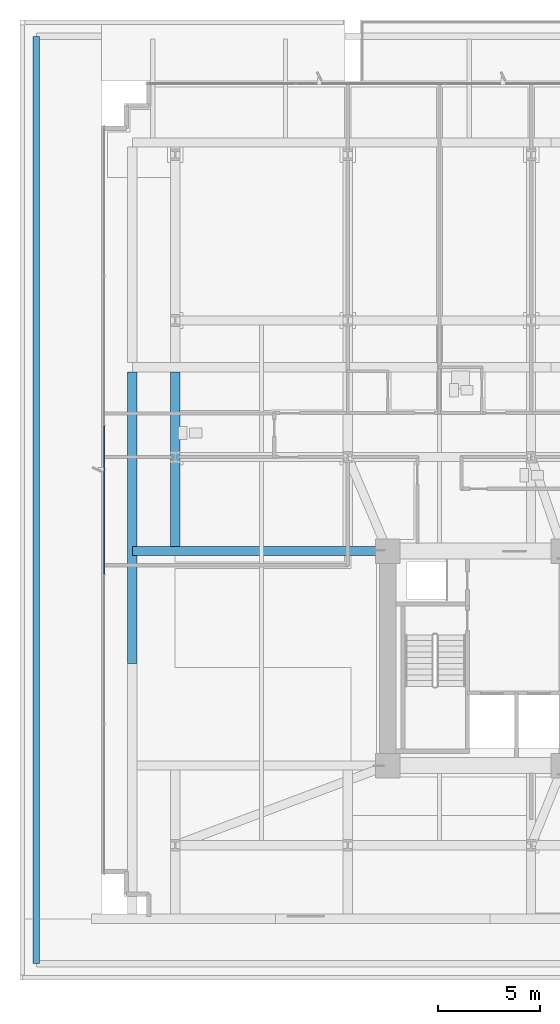
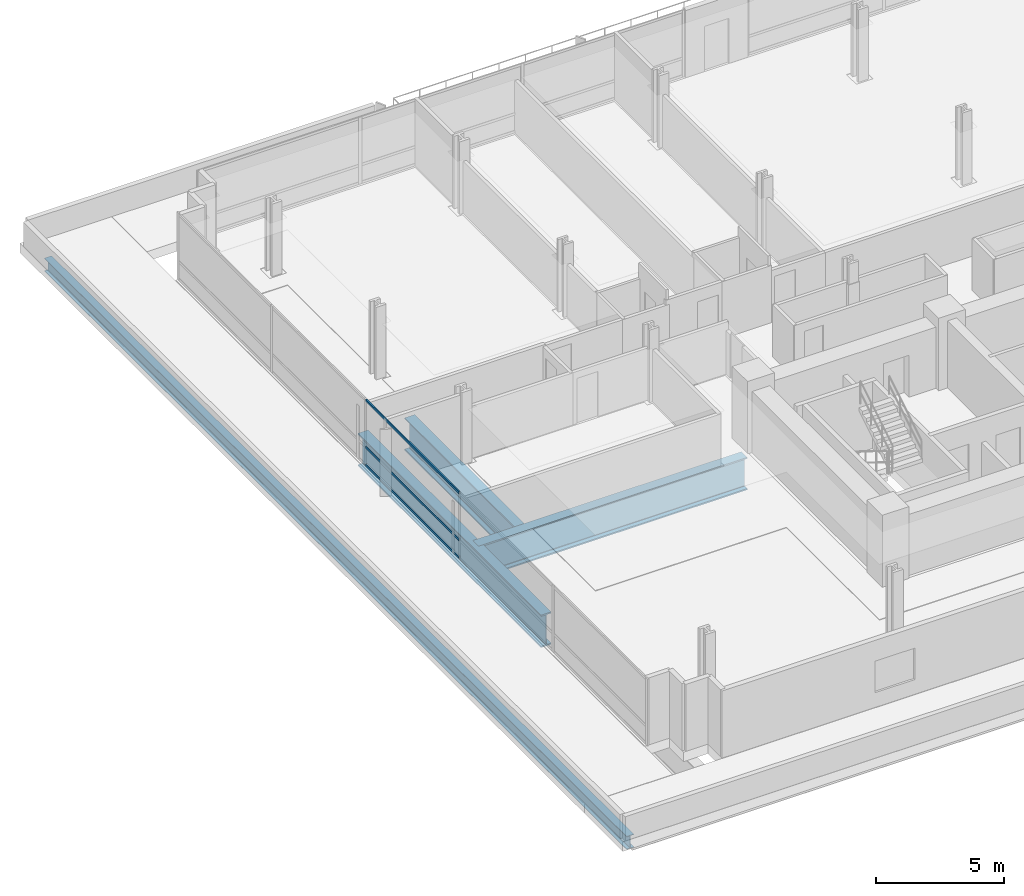
# One storey, part 5 of 25: 4 beams, 3 members, 1 element without a shape of its own.
"""IFC4 building model written with IfcOpenShell, lengths in metres."""

from ifc_helpers import new_model, si_unit, direction, frame, origin, origin_2d, place, context, subcontext, project, spatial, rectangle, i_section, extrude, material, material_profile, profile_set, type_object, element, aggregate, save


model = new_model("IFC4")

# Units and contexts
model_context = context("Model", 3, precision=1e-05, world=origin(), true_north=direction((0.0, 1.0)))
body_context = subcontext(model_context, "Body", "Model", "MODEL_VIEW")
ifc_project = project(units=[si_unit("LENGTHUNIT", "METRE"), si_unit("AREAUNIT", "SQUARE_METRE"), si_unit("VOLUMEUNIT", "CUBIC_METRE"), si_unit("PLANEANGLEUNIT", "RADIAN"), si_unit("MASSUNIT", "GRAM", prefix="KILO")], contexts=[model_context])

# Site, building, storey
site_placement = place(None, origin())
site = spatial("IfcSite", under=ifc_project, at=site_placement, CompositionType="ELEMENT")
building_placement = place(site_placement, origin())
building = spatial("IfcBuilding", under=site, at=building_placement, Name="Solmavex Isthmus Hotel", CompositionType="ELEMENT")
storey_placement = place(building_placement, frame((0.0, 0.0, 26.39990234375)))
storey = spatial("IfcBuildingStorey", under=building, at=storey_placement, Name="L06", CompositionType="ELEMENT", Elevation=26.39990234375)

# Beams
ifc_material_1 = material(Name="Steel ASTM A992 Grade 50", Category="steel")
ifc_material_profile_1 = material_profile(ifc_material_1, i_section(OverallWidth=0.326416015625, OverallDepth=0.621826171875, WebThickness=0.015380859375, FlangeThickness=0.0244140625, FilletRadius=0.01513671875, at=origin_2d()), Name="W24X131")
ifc_profile_set_1 = profile_set([ifc_material_profile_1], Name="Steel ASTM A992 Grade 50")
beam_type_1 = type_object("IfcBeamType", Name="BM-SP-W24X131", PredefinedType="SPANDREL", material=ifc_profile_set_1)
beam_1_placement = place(storey_placement, frame((-33.199951171875, 22.699951171875, -0.7607421875), z_axis=(0.0, -1.0, 0.0), x_axis=(1.0, 0.0, 0.0)))
element("IfcBeam", 1, at=beam_1_placement, inside=storey, type_object=beam_type_1, Name="Podium Roof Edge Girder PR-4", PredefinedType="SPANDREL", context=body_context, shape_type="SweptSolid", body=[
    extrude(i_section(OverallWidth=0.326416015625, OverallDepth=0.621826171875, WebThickness=0.015380859375, FlangeThickness=0.0244140625, FilletRadius=0.01513671875, at=origin_2d()), origin(), (0.0, 0.0, 1.0), 45.39990234375),
])
ifc_material_2 = material(Name="Steel ASTM A572 Grade 50", Category="steel")
ifc_material_profile_2 = material_profile(ifc_material_2, i_section(OverallWidth=0.449951171875, OverallDepth=1.550048828125, WebThickness=0.031982421875, FlangeThickness=0.06494140625, FilletRadius=0.030517578125, at=origin_2d()), Name="I1550X450")
ifc_profile_set_2 = profile_set([ifc_material_profile_2], Name="Steel ASTM A572 Grade 50")
beam_type_2 = type_object("IfcBeamType", Name="BM-TB-G1550", PredefinedType="BEAM", material=ifc_profile_set_2)
beam_2_placement = place(storey_placement, frame((-28.5, -2.5, -1.224853515625), z_axis=(1.0, 0.0, 0.0), x_axis=(0.0, 1.0, 0.0)))
element("IfcBeam", 2, at=beam_2_placement, inside=storey, type_object=beam_type_2, Name="Podium-to-Tower Mega Transfer Girder L06-MG15", PredefinedType="BEAM", context=body_context, shape_type="SweptSolid", body=[
    extrude(i_section(OverallWidth=0.449951171875, OverallDepth=1.550048828125, WebThickness=0.031982421875, FlangeThickness=0.06494140625, FilletRadius=0.030517578125, at=origin_2d()), origin(), (0.0, 0.0, 1.0), 12.10009765625),
])
beam_3_placement = place(storey_placement, frame((-28.5, -8.0, -1.224853515625), z_axis=(0.0, 1.0, 0.0), x_axis=(-1.0, 0.0, 0.0)))
element("IfcBeam", 3, at=beam_3_placement, inside=storey, type_object=beam_type_2, Name="Podium-to-Tower Mega Transfer Girder L06-MG20", PredefinedType="BEAM", context=body_context, shape_type="SweptSolid", body=[
    extrude(i_section(OverallWidth=0.449951171875, OverallDepth=1.550048828125, WebThickness=0.031982421875, FlangeThickness=0.06494140625, FilletRadius=0.030517578125, at=origin_2d()), origin(), (0.0, 0.0, 1.0), 14.27490234375),
])
beam_4_placement = place(storey_placement, frame((-26.39990234375, -2.27490234375, -1.224853515625), z_axis=(0.0, 1.0, 0.0), x_axis=(-1.0, 0.0, 0.0)))
element("IfcBeam", 4, at=beam_4_placement, inside=storey, type_object=beam_type_2, Name="Tower Column Root Transfer Girder L06-MNS1B", PredefinedType="BEAM", context=body_context, shape_type="SweptSolid", body=[
    extrude(i_section(OverallWidth=0.449951171875, OverallDepth=1.550048828125, WebThickness=0.031982421875, FlangeThickness=0.06494140625, FilletRadius=0.030517578125, at=origin_2d()), origin(), (0.0, 0.0, 1.0), 8.5498046875),
])

# Curtain wall, members
ifc_material_3 = material(Name="Aluminium alloy 6063-T6", Category="aluminium")
curtain_wall_type = type_object("IfcCurtainWallType", Name="CW-SYS-06", PredefinedType="NOTDEFINED", material=ifc_material_3)
curtain_wall_placement = place(storey_placement, origin())
curtain_wall = element("IfcCurtainWall", 5, at=curtain_wall_placement, inside=storey, type_object=curtain_wall_type, Name="Stick Curtain Wall CWL-L06-W1", PredefinedType="NOTDEFINED")
ifc_material_profile_3 = material_profile(ifc_material_3, rectangle(XDim=0.06005859375, YDim=0.114990234375, at=origin_2d()), Name="CWT-60X115")
ifc_profile_set_3 = profile_set([ifc_material_profile_3], Name="Aluminium alloy 6063-T6")
member_type = type_object("IfcMemberType", Name="CW-SYS-06-TRN", PredefinedType="USERDEFINED", material=ifc_profile_set_3)
member_1_placement = place(storey_placement, frame((-29.8798828125, -3.6298828125, 0.0576171875), z_axis=(0.0, 1.0, 0.0), x_axis=(-1.0, 0.0, 0.0)))
member_1 = element("IfcMember", 6, at=member_1_placement, type_object=member_type, Name="CW-06 transom 3.1", ObjectType="TRANSOM", PredefinedType="USERDEFINED", context=body_context, shape_type="SweptSolid", body=[
    extrude(rectangle(XDim=0.06005859375, YDim=0.114990234375, at=origin_2d()), origin(), (0.0, 0.0, 1.0), 7.259765625),
])
member_2_placement = place(storey_placement, frame((-29.8798828125, -3.6298828125, 0.900146484375), z_axis=(0.0, 1.0, 0.0), x_axis=(-1.0, 0.0, 0.0)))
member_2 = element("IfcMember", 7, at=member_2_placement, type_object=member_type, Name="CW-06 transom 3.2", ObjectType="TRANSOM", PredefinedType="USERDEFINED", context=body_context, shape_type="SweptSolid", body=[
    extrude(rectangle(XDim=0.06005859375, YDim=0.114990234375, at=origin_2d()), origin(), (0.0, 0.0, 1.0), 7.259765625),
])
member_3_placement = place(storey_placement, frame((-29.8798828125, -3.6298828125, 3.132568359375), z_axis=(0.0, 1.0, 0.0), x_axis=(-1.0, 0.0, 0.0)))
member_3 = element("IfcMember", 8, at=member_3_placement, type_object=member_type, Name="CW-06 transom 3.3", ObjectType="TRANSOM", PredefinedType="USERDEFINED", context=body_context, shape_type="SweptSolid", body=[
    extrude(rectangle(XDim=0.06005859375, YDim=0.114990234375, at=origin_2d()), origin(), (0.0, 0.0, 1.0), 7.259765625),
])
aggregate(curtain_wall, [member_1, member_2, member_3])

save(model, "model.ifc")
